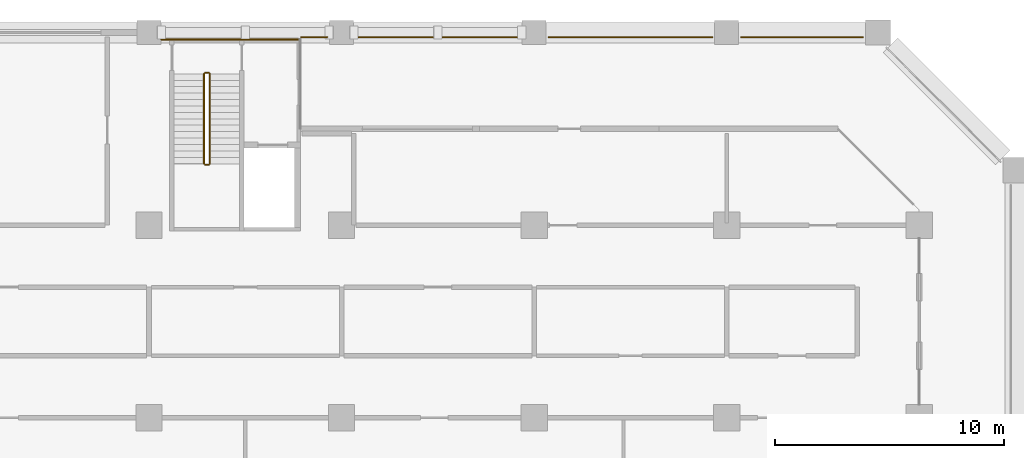
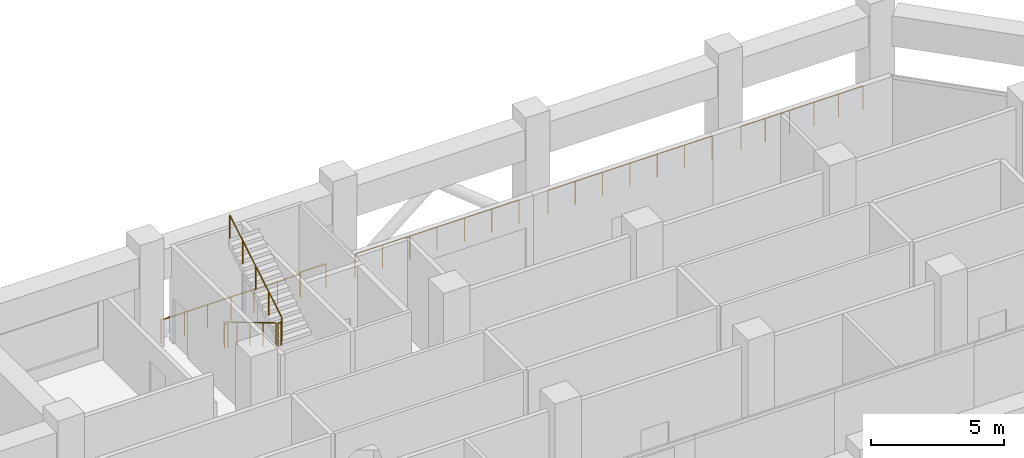
# One storey, part 18 of 19: 9 railings.
"""IFC4 building model written with IfcOpenShell, lengths in metres."""

from ifc_helpers import new_model, si_unit, direction, frame, origin, origin_2d, place, context, subcontext, project, spatial, circle, extrude, material, type_object, element, save


model = new_model("IFC4")

# Units and contexts
model_context = context("Model", 3, precision=1e-05, world=origin(), true_north=direction((0.0, 1.0)))
body_context = subcontext(model_context, "Body", "Model", "MODEL_VIEW")
ifc_project = project(units=[si_unit("LENGTHUNIT", "METRE"), si_unit("AREAUNIT", "SQUARE_METRE"), si_unit("VOLUMEUNIT", "CUBIC_METRE"), si_unit("PLANEANGLEUNIT", "RADIAN"), si_unit("MASSUNIT", "GRAM", prefix="KILO")], contexts=[model_context])

# Site, building, storey
site_placement = place(None, origin())
site = spatial("IfcSite", under=ifc_project, at=site_placement, CompositionType="ELEMENT")
building_placement = place(site_placement, origin())
building = spatial("IfcBuilding", under=site, at=building_placement, Name="Kawkab Arch Medical Tower", CompositionType="ELEMENT")
storey_placement = place(building_placement, frame((0.0, 0.0, 93.800048828125)))
storey = spatial("IfcBuildingStorey", under=building, at=storey_placement, Name="L21", CompositionType="ELEMENT", Elevation=93.800048828125)

# Railings
ifc_material_1 = material(Name="Bronze anodised aluminium guard", Category="aluminium")
railing_type_1 = type_object("IfcRailingType", Name="Loggia and terrace guard 1100", PredefinedType="GUARDRAIL", material=ifc_material_1)
railing_1_placement = place(storey_placement, frame((48.60107421875, -0.300048828125, 0.0)))
element("IfcRailing", 1, at=railing_1_placement, inside=storey, type_object=railing_type_1, Name="Band guard L21.R18.1", PredefinedType="GUARDRAIL", context=body_context, shape_type="SweptSolid", body=[
    extrude(circle(Radius=0.02392578125, at=origin_2d()), frame((0.0, 0.0, 1.076171875), z_axis=(-1.0, 0.0, 0.0), x_axis=(0.0, -1.0, 0.0)), (0.0, 0.0, 1.0), 6.076171875),
    extrude(circle(Radius=0.02099609375, at=origin_2d()), origin(), (0.0, 0.0, 1.0), 1.052001953125),
    extrude(circle(Radius=0.02099609375, at=origin_2d()), frame((-1.0126953125, 0.0, 0.0)), (0.0, 0.0, 1.0), 1.052001953125),
    extrude(circle(Radius=0.02099609375, at=origin_2d()), frame((-2.025390625, 0.0, 0.0)), (0.0, 0.0, 1.0), 1.052001953125),
    extrude(circle(Radius=0.02099609375, at=origin_2d()), frame((-3.0380859375, 0.0, 0.0)), (0.0, 0.0, 1.0), 1.052001953125),
    extrude(circle(Radius=0.02099609375, at=origin_2d()), frame((-4.05078125, 0.0, 0.0)), (0.0, 0.0, 1.0), 1.052001953125),
    extrude(circle(Radius=0.02099609375, at=origin_2d()), frame((-5.0634765625, 0.0, 0.0)), (0.0, 0.0, 1.0), 1.052001953125),
    extrude(circle(Radius=0.02099609375, at=origin_2d()), frame((-6.076171875, 0.0, 0.0)), (0.0, 0.0, 1.0), 1.052001953125),
])
railing_2_placement = place(storey_placement, frame((73.14501953125, -0.199951171875, 0.0)))
element("IfcRailing", 2, at=railing_2_placement, inside=storey, type_object=railing_type_1, Name="Guard L21.REF-01.1.24", PredefinedType="GUARDRAIL", context=body_context, shape_type="SweptSolid", body=[
    extrude(circle(Radius=0.02392578125, at=origin_2d()), frame((0.0, 0.0, 1.076171875), z_axis=(-1.0, 0.0, 0.0), x_axis=(0.0, -1.0, 0.0)), (0.0, 0.0, 1.0), 5.31494140625),
    extrude(circle(Radius=0.02099609375, at=origin_2d()), origin(), (0.0, 0.0, 1.0), 1.052001953125),
    extrude(circle(Radius=0.02099609375, at=origin_2d()), frame((-1.06298828125, 0.0, 0.0)), (0.0, 0.0, 1.0), 1.052001953125),
    extrude(circle(Radius=0.02099609375, at=origin_2d()), frame((-2.1259765625, 0.0, 0.0)), (0.0, 0.0, 1.0), 1.052001953125),
    extrude(circle(Radius=0.02099609375, at=origin_2d()), frame((-3.18896484375, 0.0, 0.0)), (0.0, 0.0, 1.0), 1.052001953125),
    extrude(circle(Radius=0.02099609375, at=origin_2d()), frame((-4.251953125, 0.0, 0.0)), (0.0, 0.0, 1.0), 1.052001953125),
    extrude(circle(Radius=0.02099609375, at=origin_2d()), frame((-5.31494140625, 0.0, 0.0)), (0.0, 0.0, 1.0), 1.052001953125),
])
railing_3_placement = place(storey_placement, frame((66.570068359375, -0.199951171875, 0.0)))
element("IfcRailing", 3, at=railing_3_placement, inside=storey, type_object=railing_type_1, Name="Guard L21.REF-01.1.25", PredefinedType="GUARDRAIL", context=body_context, shape_type="SweptSolid", body=[
    extrude(circle(Radius=0.02392578125, at=origin_2d()), frame((0.0, 0.0, 1.076171875), z_axis=(-1.0, 0.0, 0.0), x_axis=(0.0, -1.0, 0.0)), (0.0, 0.0, 1.0), 7.14013671875),
    extrude(circle(Radius=0.02099609375, at=origin_2d()), origin(), (0.0, 0.0, 1.0), 1.052001953125),
    extrude(circle(Radius=0.02099609375, at=origin_2d()), frame((-1.18994140625, 0.0, 0.0)), (0.0, 0.0, 1.0), 1.052001953125),
    extrude(circle(Radius=0.02099609375, at=origin_2d()), frame((-2.380126953125, 0.0, 0.0)), (0.0, 0.0, 1.0), 1.052001953125),
    extrude(circle(Radius=0.02099609375, at=origin_2d()), frame((-3.570068359375, 0.0, 0.0)), (0.0, 0.0, 1.0), 1.052001953125),
    extrude(circle(Radius=0.02099609375, at=origin_2d()), frame((-4.760009765625, 0.0, 0.0)), (0.0, 0.0, 1.0), 1.052001953125),
    extrude(circle(Radius=0.02099609375, at=origin_2d()), frame((-5.9501953125, 0.0, 0.0)), (0.0, 0.0, 1.0), 1.052001953125),
    extrude(circle(Radius=0.02099609375, at=origin_2d()), frame((-7.14013671875, 0.0, 0.0)), (0.0, 0.0, 1.0), 1.052001953125),
])
railing_4_placement = place(storey_placement, frame((58.169921875, -0.199951171875, 0.0)))
element("IfcRailing", 4, at=railing_4_placement, inside=storey, type_object=railing_type_1, Name="Guard L21.REF-01.1.26", PredefinedType="GUARDRAIL", context=body_context, shape_type="SweptSolid", body=[
    extrude(circle(Radius=0.02392578125, at=origin_2d()), frame((0.0, 0.0, 1.076171875), z_axis=(-1.0, 0.0, 0.0), x_axis=(0.0, -1.0, 0.0)), (0.0, 0.0, 1.0), 7.139892578125),
    extrude(circle(Radius=0.02099609375, at=origin_2d()), origin(), (0.0, 0.0, 1.0), 1.052001953125),
    extrude(circle(Radius=0.02099609375, at=origin_2d()), frame((-1.18994140625, 0.0, 0.0)), (0.0, 0.0, 1.0), 1.052001953125),
    extrude(circle(Radius=0.02099609375, at=origin_2d()), frame((-2.3798828125, 0.0, 0.0)), (0.0, 0.0, 1.0), 1.052001953125),
    extrude(circle(Radius=0.02099609375, at=origin_2d()), frame((-3.56982421875, 0.0, 0.0)), (0.0, 0.0, 1.0), 1.052001953125),
    extrude(circle(Radius=0.02099609375, at=origin_2d()), frame((-4.760009765625, 0.0, 0.0)), (0.0, 0.0, 1.0), 1.052001953125),
    extrude(circle(Radius=0.02099609375, at=origin_2d()), frame((-5.949951171875, 0.0, 0.0)), (0.0, 0.0, 1.0), 1.052001953125),
    extrude(circle(Radius=0.02099609375, at=origin_2d()), frame((-7.139892578125, 0.0, 0.0)), (0.0, 0.0, 1.0), 1.052001953125),
])
railing_5_placement = place(storey_placement, frame((49.77001953125, -0.199951171875, 0.0)))
element("IfcRailing", 5, at=railing_5_placement, inside=storey, type_object=railing_type_1, Name="Guard L21.REF-01.1.27", PredefinedType="GUARDRAIL", context=body_context, shape_type="SweptSolid", body=[
    extrude(circle(Radius=0.02392578125, at=origin_2d()), frame((0.0, 0.0, 1.076171875), z_axis=(-1.0, 0.0, 0.0), x_axis=(0.0, -1.0, 0.0)), (0.0, 0.0, 1.0), 1.138916015625),
    extrude(circle(Radius=0.02099609375, at=origin_2d()), origin(), (0.0, 0.0, 1.0), 1.052001953125),
    extrude(circle(Radius=0.02099609375, at=origin_2d()), frame((-1.138916015625, 0.0, 0.0)), (0.0, 0.0, 1.0), 1.052001953125),
])
ifc_material_2 = material(Name="Stainless steel", Category="steel")
railing_type_2 = type_object("IfcRailingType", Name="Stair guard 1100", PredefinedType="GUARDRAIL", material=ifc_material_2)
railing_6_placement = place(storey_placement, frame((44.39990234375, -1.800048828125, 0.16650390625)))
element("IfcRailing", 6, at=railing_6_placement, inside=storey, type_object=railing_type_2, Name="L21 ST5 stair guard 1", PredefinedType="GUARDRAIL", context=body_context, shape_type="SweptSolid", body=[
    extrude(circle(Radius=0.02392578125, at=origin_2d()), frame((0.0, 0.0, 1.076171875), z_axis=(0.0, -0.859272722373, 0.511517730471), x_axis=(1.0, 0.0, 0.0)), (0.0, 0.0, 1.0), 4.56201171875),
    extrude(circle(Radius=0.02099609375, at=origin_2d()), origin(), (0.0, 0.0, 1.0), 1.052001953125),
    extrude(circle(Radius=0.02099609375, at=origin_2d()), frame((0.0, -0.97998046875, 0.58349609375)), (0.0, 0.0, 1.0), 1.052001953125),
    extrude(circle(Radius=0.02099609375, at=origin_2d()), frame((0.0, -1.9599609375, 1.166748046875)), (0.0, 0.0, 1.0), 1.052001953125),
    extrude(circle(Radius=0.02099609375, at=origin_2d()), frame((0.0, -2.93994140625, 1.75)), (0.0, 0.0, 1.0), 1.052001953125),
    extrude(circle(Radius=0.02099609375, at=origin_2d()), frame((0.0, -3.919921875, 2.33349609375)), (0.0, 0.0, 1.0), 1.052001953125),
])
railing_7_placement = place(storey_placement, frame((44.449951171875, -5.77001953125, 2.5)))
element("IfcRailing", 7, at=railing_7_placement, inside=storey, type_object=railing_type_2, Name="L21 ST5 stair guard 2", PredefinedType="GUARDRAIL", context=body_context, shape_type="SweptSolid", body=[
    extrude(circle(Radius=0.02392578125, at=origin_2d()), frame((0.0, 0.0, 1.076171875), z_axis=(1.0, 0.0, 0.0), x_axis=(0.0, 1.0, 0.0)), (0.0, 0.0, 1.0), 0.150146484375),
    extrude(circle(Radius=0.02099609375, at=origin_2d()), origin(), (0.0, 0.0, 1.0), 1.052001953125),
    extrude(circle(Radius=0.02099609375, at=origin_2d()), frame((0.150146484375, 0.0, 0.0)), (0.0, 0.0, 1.0), 1.052001953125),
])
railing_8_placement = place(storey_placement, frame((44.64990234375, -5.719970703125, 2.66650390625)))
element("IfcRailing", 8, at=railing_8_placement, inside=storey, type_object=railing_type_2, Name="L21 ST5 stair guard 3", PredefinedType="GUARDRAIL", context=body_context, shape_type="SweptSolid", body=[
    extrude(circle(Radius=0.02392578125, at=origin_2d()), frame((0.0, 0.0, 1.076171875), z_axis=(0.0, 0.859272722373, 0.511517730471), x_axis=(-1.0, 0.0, 0.0)), (0.0, 0.0, 1.0), 4.56201171875),
    extrude(circle(Radius=0.02099609375, at=origin_2d()), origin(), (0.0, 0.0, 1.0), 1.052001953125),
    extrude(circle(Radius=0.02099609375, at=origin_2d()), frame((0.0, 0.97998046875, 0.58349609375)), (0.0, 0.0, 1.0), 1.052001953125),
    extrude(circle(Radius=0.02099609375, at=origin_2d()), frame((0.0, 1.9599609375, 1.166748046875)), (0.0, 0.0, 1.0), 1.052001953125),
    extrude(circle(Radius=0.02099609375, at=origin_2d()), frame((0.0, 2.93994140625, 1.75)), (0.0, 0.0, 1.0), 1.052001953125),
    extrude(circle(Radius=0.02099609375, at=origin_2d()), frame((0.0, 3.919921875, 2.33349609375)), (0.0, 0.0, 1.0), 1.052001953125),
])
railing_9_placement = place(storey_placement, frame((44.449951171875, -1.75, 0.0)))
element("IfcRailing", 9, at=railing_9_placement, inside=storey, type_object=railing_type_2, Name="L21 ST5 stair guard 4", PredefinedType="GUARDRAIL", context=body_context, shape_type="SweptSolid", body=[
    extrude(circle(Radius=0.02392578125, at=origin_2d()), frame((0.0, 0.0, 1.076171875), z_axis=(1.0, 0.0, 0.0), x_axis=(0.0, 1.0, 0.0)), (0.0, 0.0, 1.0), 0.150146484375),
    extrude(circle(Radius=0.02099609375, at=origin_2d()), origin(), (0.0, 0.0, 1.0), 1.052001953125),
    extrude(circle(Radius=0.02099609375, at=origin_2d()), frame((0.150146484375, 0.0, 0.0)), (0.0, 0.0, 1.0), 1.052001953125),
])

save(model, "model.ifc")
